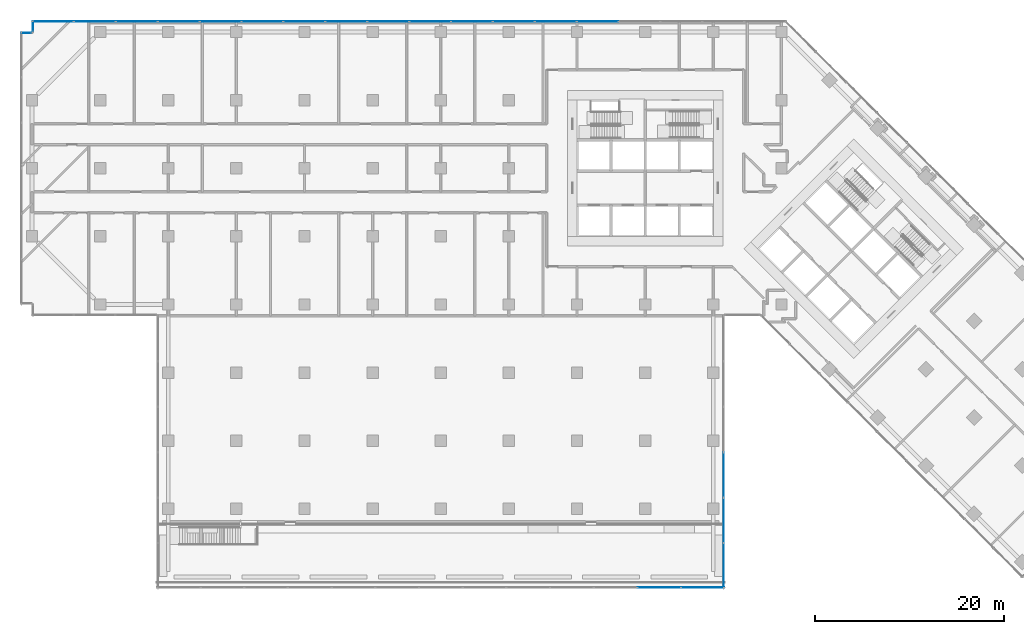
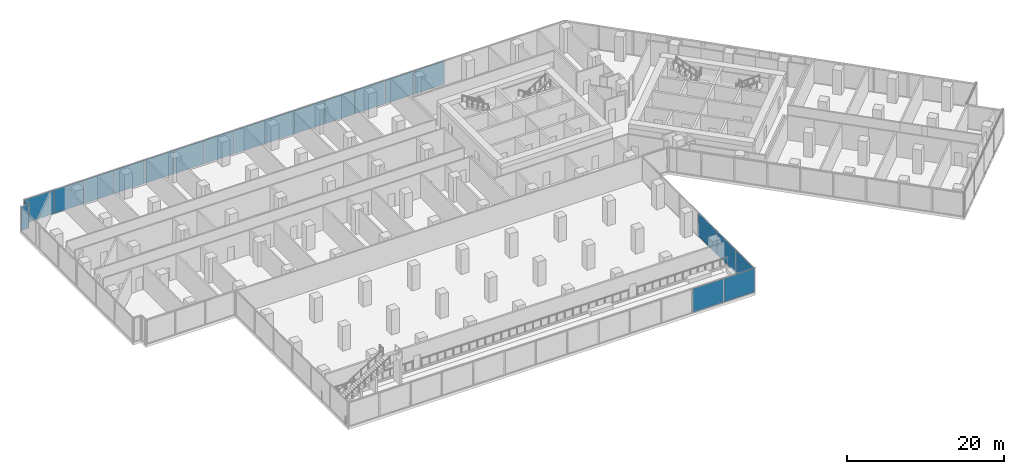
# One storey, part 17 of 27: 21 plates, 5 elements without a shape of their own.
"""IFC4 building model written with IfcOpenShell, lengths in metres."""

import ifcopenshell
import ifcopenshell.guid

model = None  # the IFC model being written
_history = None  # IfcOwnerHistory: only IFC2X3 demands one
_inside = {}  # id of a spatial element -> (the spatial element, [elements in it])
_under = {}  # id of a project, library or spatial element -> (it, [spatial elements below it])
_declared = {}  # id of a project -> (the project, [libraries it declares])
_typed = {}  # id of a type object -> (the type object, [elements of that type])
_made_of = {}  # id of a material, layer set ... -> (it, [elements and type objects made of it])


def new_model(schema):
    """Start an empty IFC model of exactly this schema.

    Asked for "IFC4X3", IfcOpenShell would pick the latest addendum, in which some entities
    have other attributes; the version numbers below select the first issue.
    IFC2X3 requires an IfcOwnerHistory on every rooted entity: one is made here for all.
    """
    global model, _history
    if schema == "IFC4X3":
        model = ifcopenshell.file(schema_version=(4, 3, 0, 0))
    else:
        model = ifcopenshell.file(schema=schema)
    _inside.clear()
    _under.clear()
    _declared.clear()
    _typed.clear()
    _made_of.clear()
    _history = None
    if model.schema == "IFC2X3":
        org = make("IfcOrganization", Name="unknown")
        user = make(
            "IfcPersonAndOrganization",
            ThePerson=make("IfcPerson", FamilyName="unknown"),
            TheOrganization=org,
        )
        app = make(
            "IfcApplication",
            ApplicationDeveloper=org,
            Version="unknown",
            ApplicationFullName="unknown",
            ApplicationIdentifier="unknown",
        )
        _history = make(
            "IfcOwnerHistory",
            OwningUser=user,
            OwningApplication=app,
            ChangeAction="ADDED",
            CreationDate=0,
        )
    return model


def make(cls, **values):
    """One entity of the class cls with the attributes given. An attribute that is None is left unset."""
    return model.create_entity(
        cls, **{name: value for name, value in values.items() if value is not None}
    )


def rooted(cls, **values):
    """An entity with a GlobalId (a new one), such as an element, a storey or a relation."""
    return make(cls, GlobalId=ifcopenshell.guid.new(), OwnerHistory=_history, **values)


def si_unit(unit_type, name, prefix=None):
    """IfcSIUnit, for example si_unit("LENGTHUNIT", "METRE", prefix="MILLI")."""
    return make("IfcSIUnit", UnitType=unit_type, Prefix=prefix, Name=name)


def assignment(units):
    """IfcUnitAssignment: the units of a project."""
    return None if units is None else make("IfcUnitAssignment", Units=units)


def point(xyz):
    """IfcCartesianPoint."""
    return None if xyz is None else make("IfcCartesianPoint", Coordinates=xyz)


def direction(xyz):
    """IfcDirection."""
    return None if xyz is None else make("IfcDirection", DirectionRatios=xyz)


def frame(location, z_axis=None, x_axis=None):
    """IfcAxis2Placement3D, a coordinate frame: its origin and axes. An axis left out is left unset."""
    return make(
        "IfcAxis2Placement3D",
        Location=point(location),
        Axis=direction(z_axis),
        RefDirection=direction(x_axis),
    )


def frame_2d(location, x_axis=None):
    """IfcAxis2Placement2D, a coordinate frame in the plane: its origin and x axis."""
    return make(
        "IfcAxis2Placement2D", Location=point(location), RefDirection=direction(x_axis)
    )


def origin():
    """The frame at (0, 0, 0) with its axes left unset."""
    return frame((0.0, 0.0, 0.0))


def origin_2d():
    """The frame at (0, 0) in the plane with its x axis left unset."""
    return frame_2d((0.0, 0.0))


def place(relative_to, where):
    """IfcLocalPlacement: puts the frame where relative to a parent placement (None: the world)."""
    return make(
        "IfcLocalPlacement", PlacementRelTo=relative_to, RelativePlacement=where
    )


def context(
    kind, dimensions, precision=None, world=None, true_north=None, identifier=None
):
    """IfcGeometricRepresentationContext, for example the 3D "Model" context."""
    return make(
        "IfcGeometricRepresentationContext",
        ContextIdentifier=identifier,
        ContextType=kind,
        CoordinateSpaceDimension=dimensions,
        Precision=precision,
        WorldCoordinateSystem=world,
        TrueNorth=true_north,
    )


def subcontext(parent, identifier, kind, view, scale=None):
    """IfcGeometricRepresentationSubContext, for example "Body" below "Model"."""
    return make(
        "IfcGeometricRepresentationSubContext",
        ContextIdentifier=identifier,
        ContextType=kind,
        ParentContext=parent,
        TargetScale=scale,
        TargetView=view,
    )


def project(units=None, contexts=None):
    """IfcProject with its units and contexts."""
    return rooted(
        "IfcProject",
        Name="project",
        RepresentationContexts=contexts,
        UnitsInContext=assignment(units),
    )


def spatial(cls, under=None, at=None, **own):
    """A site, building, storey or space (cls), placed at a placement, below another one or the project."""
    s = rooted(cls, ObjectPlacement=at, **own)
    if under is not None:
        _under.setdefault(under.id(), (under, []))[1].append(s)
    return s


def profile(cls, at=None, kind="AREA", **sizes):
    """A parametric profile (cls). Its sizes go by their IFC names, for example OverallWidth=200.0."""
    return make(cls, ProfileType=kind, Position=at, **sizes)


def rectangle(**sizes):
    """IfcRectangleProfileDef."""
    return profile("IfcRectangleProfileDef", **sizes)


def extrude(swept, where, along, depth):
    """IfcExtrudedAreaSolid: the profile swept, set in the frame where, extruded along a direction by depth."""
    return make(
        "IfcExtrudedAreaSolid",
        SweptArea=swept,
        Position=where,
        ExtrudedDirection=direction(along),
        Depth=depth,
    )


def shape(context_of_items, identifier, shape_type, items):
    """IfcShapeRepresentation: the items that make up one representation, for example the "Body"."""
    return make(
        "IfcShapeRepresentation",
        ContextOfItems=context_of_items,
        RepresentationIdentifier=identifier,
        RepresentationType=shape_type,
        Items=items,
    )


def material(Name=None, Category=None):
    """IfcMaterial."""
    return make("IfcMaterial", Name=Name, Category=Category)


def layer(
    of_material, thickness, ventilated=None, Name=None, Category=None, Priority=None
):
    """IfcMaterialLayer: one layer of a wall or slab, of a material (None: an air gap)."""
    return make(
        "IfcMaterialLayer",
        Material=of_material,
        LayerThickness=thickness,
        IsVentilated=ventilated,
        Name=Name,
        Category=Category,
        Priority=Priority,
    )


def layer_set(layers, Name=None):
    """IfcMaterialLayerSet."""
    return make("IfcMaterialLayerSet", MaterialLayers=layers, LayerSetName=Name)


def made_of(thing, what):
    """Note that an element or type object is made of a material, layer set ...; save() writes the relation."""
    if what is not None:
        _made_of.setdefault(what.id(), (what, []))[1].append(thing)
    return thing


def type_object(cls, material=None, **own):
    """A type object (cls), such as IfcWallType, which elements share."""
    return made_of(rooted(cls, **own), material)


def element(
    cls,
    number,
    at=None,
    inside=None,
    cuts=None,
    type_object=None,
    material=None,
    context=None,
    identifier="Body",
    shape_type=None,
    held_by="IfcProductDefinitionShape",
    body=None,
    shapes=None,
    **own,
):
    """One element of the class cls, such as IfcWall. Its Tag is "e" and its number.

    at: its placement. inside: the storey or other place that contains it. cuts: it is an
    opening in that element (IfcRelVoidsElement). A single representation is given by context,
    identifier, shape_type and body (its items); several are given by shapes. held_by: the class
    of the entity that holds the representations. save() writes the other relations.
    """
    e = rooted(cls, Tag="e%d" % number, ObjectPlacement=at, **own)
    if body is not None:
        shapes = [shape(context, identifier, shape_type, body)]
    if shapes is not None:
        e.Representation = make(held_by, Representations=shapes)
    if inside is not None:
        _inside.setdefault(inside.id(), (inside, []))[1].append(e)
    if cuts is not None:
        rooted(
            "IfcRelVoidsElement", RelatingBuildingElement=cuts, RelatedOpeningElement=e
        )
    if type_object is not None:
        _typed.setdefault(type_object.id(), (type_object, []))[1].append(e)
    return made_of(e, material)


def aggregate(whole, parts):
    """IfcRelAggregates: a whole, such as a stair, and the parts it consists of."""
    return rooted("IfcRelAggregates", RelatingObject=whole, RelatedObjects=parts)


def save(model, path):
    """Write the relations noted so far, then the file.

    IfcRelAggregates (storeys below a building ...), IfcRelContainedInSpatialStructure (elements
    in a storey), IfcRelDefinesByType, IfcRelAssociatesMaterial and IfcRelDeclares: one each for
    every whole, place, type object, material and project.
    """
    for whole, parts in _under.values():
        aggregate(whole, parts)
    for where, things in _inside.values():
        rooted(
            "IfcRelContainedInSpatialStructure",
            RelatedElements=things,
            RelatingStructure=where,
        )
    for kind, things in _typed.values():
        rooted("IfcRelDefinesByType", RelatedObjects=things, RelatingType=kind)
    for what, things in _made_of.values():
        rooted("IfcRelAssociatesMaterial", RelatedObjects=things, RelatingMaterial=what)
    for by, libraries in _declared.values():
        rooted("IfcRelDeclares", RelatingContext=by, RelatedDefinitions=libraries)
    model.write(path)


model = new_model("IFC4")

# Units and contexts
model_context = context("Model", 3, precision=1e-05, world=origin(), true_north=direction((0.0, 1.0)))
body_context = subcontext(model_context, "Body", "Model", "MODEL_VIEW")
ifc_project = project(units=[si_unit("LENGTHUNIT", "METRE"), si_unit("AREAUNIT", "SQUARE_METRE"), si_unit("VOLUMEUNIT", "CUBIC_METRE"), si_unit("PLANEANGLEUNIT", "RADIAN"), si_unit("MASSUNIT", "GRAM", prefix="KILO")], contexts=[model_context])

# Site, building, storey
site_placement = place(None, origin())
site = spatial("IfcSite", under=ifc_project, at=site_placement, CompositionType="ELEMENT")
building_placement = place(site_placement, origin())
building = spatial("IfcBuilding", under=site, at=building_placement, Name="Windrow Commons", CompositionType="ELEMENT")
storey_placement = place(building_placement, frame((0.0, 0.0, 6.0)))
storey = spatial("IfcBuildingStorey", under=building, at=storey_placement, Name="L01", CompositionType="ELEMENT", Elevation=6.0)

# Curtain wall, plates
ifc_material_1 = material(Name="Clear laminated glass in Aluminium 6063-T6 anodised frame", Category="aluminium")
curtain_wall_type = type_object("IfcCurtainWallType", Name="Curtain wall CW1 podium study hall", PredefinedType="USERDEFINED", material=ifc_material_1)
placement = place(storey_placement, origin())
curtain_wall_1 = element("IfcCurtainWall", 1, at=placement, inside=storey, type_object=curtain_wall_type, Name="Curtain wall CW1 L01 5", ObjectType="STICK", PredefinedType="USERDEFINED")
ifc_material_2 = material(Name="Clear laminated glass", Category="glass")
ifc_layer = layer(ifc_material_2, 0.032)
ifc_layer_set = layer_set([ifc_layer], Name="CW1 panel glass 32")
plate_type = type_object("IfcPlateType", Name="CW1 panel glass 32", PredefinedType="CURTAIN_PANEL", material=ifc_layer_set)
plate_1_placement = place(storey_placement, frame((59.7728, 73.1, 0.06), z_axis=(0.0, 0.0, 1.0), x_axis=(-1.0, 0.0, 0.0)))
plate_1 = element("IfcPlate", 2, at=plate_1_placement, type_object=plate_type, Name="CW1 panel 5.1", PredefinedType="CURTAIN_PANEL", context=body_context, shape_type="SweptSolid", body=[
    extrude(rectangle(XDim=4.3676, YDim=0.032, at=origin_2d()), origin(), (0.0, 0.0, 1.0), 3.68),
])
plate_2_placement = place(storey_placement, frame((55.3452, 73.1, 0.06), z_axis=(0.0, 0.0, 1.0), x_axis=(-1.0, 0.0, 0.0)))
plate_2 = element("IfcPlate", 3, at=plate_2_placement, type_object=plate_type, Name="CW1 panel 6.1", PredefinedType="CURTAIN_PANEL", context=body_context, shape_type="SweptSolid", body=[
    extrude(rectangle(XDim=4.3676, YDim=0.032, at=origin_2d()), origin(), (0.0, 0.0, 1.0), 3.68),
])
plate_3_placement = place(storey_placement, frame((50.9176, 73.1, 0.06), z_axis=(0.0, 0.0, 1.0), x_axis=(-1.0, 0.0, 0.0)))
plate_3 = element("IfcPlate", 4, at=plate_3_placement, type_object=plate_type, Name="CW1 panel 7.1", PredefinedType="CURTAIN_PANEL", context=body_context, shape_type="SweptSolid", body=[
    extrude(rectangle(XDim=4.3676, YDim=0.032, at=origin_2d()), origin(), (0.0, 0.0, 1.0), 3.68),
])
plate_4_placement = place(storey_placement, frame((46.49, 73.1, 0.06), z_axis=(0.0, 0.0, 1.0), x_axis=(-1.0, 0.0, 0.0)))
plate_4 = element("IfcPlate", 5, at=plate_4_placement, type_object=plate_type, Name="CW1 panel 8.1", PredefinedType="CURTAIN_PANEL", context=body_context, shape_type="SweptSolid", body=[
    extrude(rectangle(XDim=4.3676, YDim=0.032, at=origin_2d()), origin(), (0.0, 0.0, 1.0), 3.68),
])
plate_5_placement = place(storey_placement, frame((42.0624, 73.1, 0.06), z_axis=(0.0, 0.0, 1.0), x_axis=(-1.0, 0.0, 0.0)))
plate_5 = element("IfcPlate", 6, at=plate_5_placement, type_object=plate_type, Name="CW1 panel 9.1", PredefinedType="CURTAIN_PANEL", context=body_context, shape_type="SweptSolid", body=[
    extrude(rectangle(XDim=4.3676, YDim=0.032, at=origin_2d()), origin(), (0.0, 0.0, 1.0), 3.68),
])
plate_6_placement = place(storey_placement, frame((37.6347, 73.1, 0.06), z_axis=(0.0, 0.0, 1.0), x_axis=(-1.0, 0.0, 0.0)))
plate_6 = element("IfcPlate", 7, at=plate_6_placement, type_object=plate_type, Name="CW1 panel 10.1", PredefinedType="CURTAIN_PANEL", context=body_context, shape_type="SweptSolid", body=[
    extrude(rectangle(XDim=4.3676, YDim=0.032, at=origin_2d()), origin(), (0.0, 0.0, 1.0), 3.68),
])
plate_7_placement = place(storey_placement, frame((33.2071, 73.1, 0.06), z_axis=(0.0, 0.0, 1.0), x_axis=(-1.0, 0.0, 0.0)))
plate_7 = element("IfcPlate", 8, at=plate_7_placement, type_object=plate_type, Name="CW1 panel 11.1", PredefinedType="CURTAIN_PANEL", context=body_context, shape_type="SweptSolid", body=[
    extrude(rectangle(XDim=4.3676, YDim=0.032, at=origin_2d()), origin(), (0.0, 0.0, 1.0), 3.68),
])
plate_8_placement = place(storey_placement, frame((28.7795, 73.1, 0.06), z_axis=(0.0, 0.0, 1.0), x_axis=(-1.0, 0.0, 0.0)))
plate_8 = element("IfcPlate", 9, at=plate_8_placement, type_object=plate_type, Name="CW1 panel 12.1", PredefinedType="CURTAIN_PANEL", context=body_context, shape_type="SweptSolid", body=[
    extrude(rectangle(XDim=4.3676, YDim=0.032, at=origin_2d()), origin(), (0.0, 0.0, 1.0), 3.68),
])
plate_9_placement = place(storey_placement, frame((24.3519, 73.1, 0.06), z_axis=(0.0, 0.0, 1.0), x_axis=(-1.0, 0.0, 0.0)))
plate_9 = element("IfcPlate", 10, at=plate_9_placement, type_object=plate_type, Name="CW1 panel 13.1", PredefinedType="CURTAIN_PANEL", context=body_context, shape_type="SweptSolid", body=[
    extrude(rectangle(XDim=4.3676, YDim=0.032, at=origin_2d()), origin(), (0.0, 0.0, 1.0), 3.68),
])
plate_10_placement = place(storey_placement, frame((19.9243, 73.1, 0.06), z_axis=(0.0, 0.0, 1.0), x_axis=(-1.0, 0.0, 0.0)))
plate_10 = element("IfcPlate", 11, at=plate_10_placement, type_object=plate_type, Name="CW1 panel 14.1", PredefinedType="CURTAIN_PANEL", context=body_context, shape_type="SweptSolid", body=[
    extrude(rectangle(XDim=4.3676, YDim=0.032, at=origin_2d()), origin(), (0.0, 0.0, 1.0), 3.68),
])
plate_11_placement = place(storey_placement, frame((15.4967, 73.1, 0.06), z_axis=(0.0, 0.0, 1.0), x_axis=(-1.0, 0.0, 0.0)))
plate_11 = element("IfcPlate", 12, at=plate_11_placement, type_object=plate_type, Name="CW1 panel 15.1", PredefinedType="CURTAIN_PANEL", context=body_context, shape_type="SweptSolid", body=[
    extrude(rectangle(XDim=4.3676, YDim=0.032, at=origin_2d()), origin(), (0.0, 0.0, 1.0), 3.68),
])
plate_12_placement = place(storey_placement, frame((11.069, 73.1, 0.06), z_axis=(0.0, 0.0, 1.0), x_axis=(-1.0, 0.0, 0.0)))
plate_12 = element("IfcPlate", 13, at=plate_12_placement, type_object=plate_type, Name="CW1 panel 16.1", PredefinedType="CURTAIN_PANEL", context=body_context, shape_type="SweptSolid", body=[
    extrude(rectangle(XDim=4.3676, YDim=0.032, at=origin_2d()), origin(), (0.0, 0.0, 1.0), 3.68),
])
plate_13_placement = place(storey_placement, frame((6.6414, 73.1, 0.06), z_axis=(0.0, 0.0, 1.0), x_axis=(-1.0, 0.0, 0.0)))
plate_13 = element("IfcPlate", 14, at=plate_13_placement, type_object=plate_type, Name="CW1 panel 17.1", PredefinedType="CURTAIN_PANEL", context=body_context, shape_type="SweptSolid", body=[
    extrude(rectangle(XDim=4.3676, YDim=0.032, at=origin_2d()), origin(), (0.0, 0.0, 1.0), 3.68),
])
plate_14_placement = place(storey_placement, frame((2.2288, 73.1, 0.06), z_axis=(0.0, 0.0, 1.0), x_axis=(-1.0, 0.0, 0.0)))
plate_14 = element("IfcPlate", 15, at=plate_14_placement, type_object=plate_type, Name="CW1 panel 18.1", PredefinedType="CURTAIN_PANEL", context=body_context, shape_type="SweptSolid", body=[
    extrude(rectangle(XDim=4.3376, YDim=0.032, at=origin_2d()), origin(), (0.0, 0.0, 1.0), 3.68),
])
aggregate(curtain_wall_1, [plate_1, plate_2, plate_3, plate_4, plate_5, plate_6, plate_7, plate_8, plate_9, plate_10, plate_11, plate_12, plate_13, plate_14])

# Curtain wall, plate
curtain_wall_2 = element("IfcCurtainWall", 16, at=placement, inside=storey, type_object=curtain_wall_type, Name="Curtain wall CW1 L01 6", ObjectType="STICK", PredefinedType="USERDEFINED")
plate_15_placement = place(storey_placement, frame((0.1, 72.6, 0.06), z_axis=(0.0, 0.0, 1.0), x_axis=(0.0, -1.0, 0.0)))
plate_15 = element("IfcPlate", 17, at=plate_15_placement, type_object=plate_type, Name="CW1 panel 1.1", PredefinedType="CURTAIN_PANEL", context=body_context, shape_type="SweptSolid", body=[
    extrude(rectangle(XDim=1.08, YDim=0.032, at=origin_2d()), origin(), (0.0, 0.0, 1.0), 3.68),
])
aggregate(curtain_wall_2, [plate_15])

curtain_wall_3 = element("IfcCurtainWall", 18, at=placement, inside=storey, type_object=curtain_wall_type, Name="Curtain wall CW1 L01 7", ObjectType="STICK", PredefinedType="USERDEFINED")
plate_16_placement = place(storey_placement, frame((-0.6, 71.9, 0.06), z_axis=(0.0, 0.0, 1.0), x_axis=(-1.0, 0.0, 0.0)))
plate_16 = element("IfcPlate", 19, at=plate_16_placement, type_object=plate_type, Name="CW1 panel 1.1", PredefinedType="CURTAIN_PANEL", context=body_context, shape_type="SweptSolid", body=[
    extrude(rectangle(XDim=1.08, YDim=0.032, at=origin_2d()), origin(), (0.0, 0.0, 1.0), 3.68),
])
aggregate(curtain_wall_3, [plate_16])

# Curtain wall, plates
curtain_wall_4 = element("IfcCurtainWall", 20, at=placement, inside=storey, type_object=curtain_wall_type, Name="Curtain wall CW1 L01 13", ObjectType="STICK", PredefinedType="USERDEFINED")
plate_17_placement = place(storey_placement, frame((66.2769, 13.3, 0.06), z_axis=(0.0, 0.0, 1.0), x_axis=(1.0, 0.0, 0.0)))
plate_17 = element("IfcPlate", 21, at=plate_17_placement, type_object=plate_type, Name="CW1 panel 12.1", PredefinedType="CURTAIN_PANEL", context=body_context, shape_type="SweptSolid", body=[
    extrude(rectangle(XDim=4.5554, YDim=0.032, at=origin_2d()), origin(), (0.0, 0.0, 1.0), 3.68),
])
plate_18_placement = place(storey_placement, frame((70.8773, 13.3, 0.06), z_axis=(0.0, 0.0, 1.0), x_axis=(1.0, 0.0, 0.0)))
plate_18 = element("IfcPlate", 22, at=plate_18_placement, type_object=plate_type, Name="CW1 panel 13.1", PredefinedType="CURTAIN_PANEL", context=body_context, shape_type="SweptSolid", body=[
    extrude(rectangle(XDim=4.5254, YDim=0.032, at=origin_2d()), origin(), (0.0, 0.0, 1.0), 3.68),
])
aggregate(curtain_wall_4, [plate_17, plate_18])

curtain_wall_5 = element("IfcCurtainWall", 23, at=placement, inside=storey, type_object=curtain_wall_type, Name="Curtain wall CW1 L01 14", ObjectType="STICK", PredefinedType="USERDEFINED")
plate_19_placement = place(storey_placement, frame((73.1, 15.615, 0.06), z_axis=(0.0, 0.0, 1.0), x_axis=(0.0, 1.0, 0.0)))
plate_19 = element("IfcPlate", 24, at=plate_19_placement, type_object=plate_type, Name="CW1 panel 1.1", PredefinedType="CURTAIN_PANEL", context=body_context, shape_type="SweptSolid", body=[
    extrude(rectangle(XDim=4.71, YDim=0.032, at=origin_2d()), origin(), (0.0, 0.0, 1.0), 3.68),
])
plate_20_placement = place(storey_placement, frame((73.1, 20.4, 0.06), z_axis=(0.0, 0.0, 1.0), x_axis=(0.0, 1.0, 0.0)))
plate_20 = element("IfcPlate", 25, at=plate_20_placement, type_object=plate_type, Name="CW1 panel 2.1", PredefinedType="CURTAIN_PANEL", context=body_context, shape_type="SweptSolid", body=[
    extrude(rectangle(XDim=4.74, YDim=0.032, at=origin_2d()), origin(), (0.0, 0.0, 1.0), 3.68),
])
plate_21_placement = place(storey_placement, frame((73.1, 25.2, 0.06), z_axis=(0.0, 0.0, 1.0), x_axis=(0.0, 1.0, 0.0)))
plate_21 = element("IfcPlate", 26, at=plate_21_placement, type_object=plate_type, Name="CW1 panel 3.1", PredefinedType="CURTAIN_PANEL", context=body_context, shape_type="SweptSolid", body=[
    extrude(rectangle(XDim=4.74, YDim=0.032, at=origin_2d()), origin(), (0.0, 0.0, 1.0), 3.68),
])
aggregate(curtain_wall_5, [plate_19, plate_20, plate_21])

save(model, "model.ifc")
